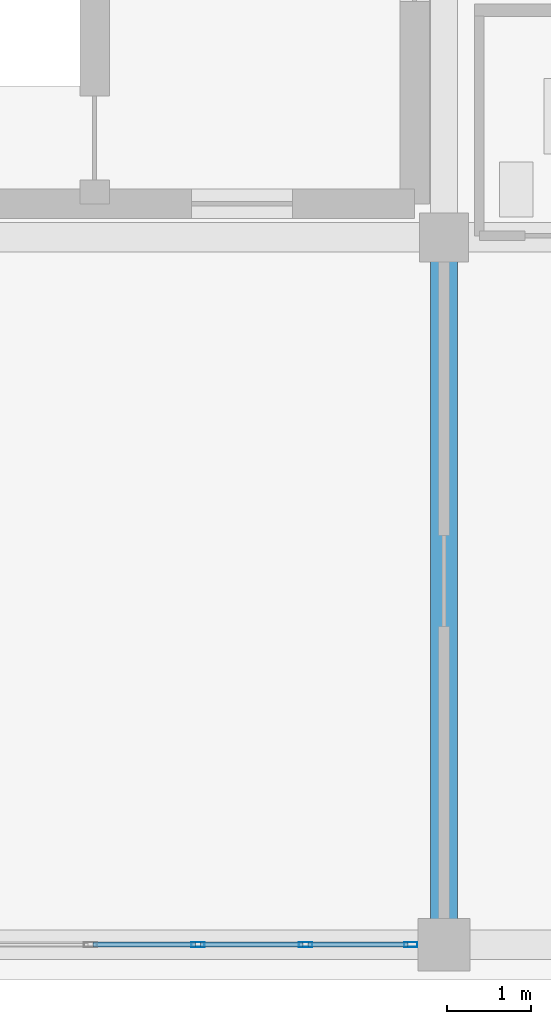
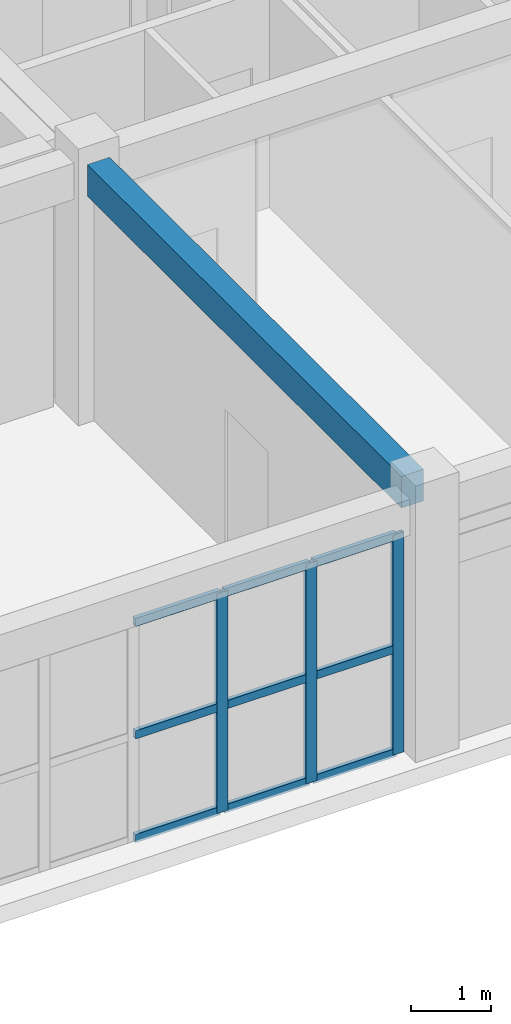
# One storey, part 23 of 81: 12 members, 1 beam, 1 element without a shape of its own.
"""IFC4 building model written with IfcOpenShell, lengths in metres."""

import ifcopenshell
import ifcopenshell.guid

model = None  # the IFC model being written
_history = None  # IfcOwnerHistory: only IFC2X3 demands one
_inside = {}  # id of a spatial element -> (the spatial element, [elements in it])
_under = {}  # id of a project, library or spatial element -> (it, [spatial elements below it])
_declared = {}  # id of a project -> (the project, [libraries it declares])
_typed = {}  # id of a type object -> (the type object, [elements of that type])
_made_of = {}  # id of a material, layer set ... -> (it, [elements and type objects made of it])


def new_model(schema):
    """Start an empty IFC model of exactly this schema.

    Asked for "IFC4X3", IfcOpenShell would pick the latest addendum, in which some entities
    have other attributes; the version numbers below select the first issue.
    IFC2X3 requires an IfcOwnerHistory on every rooted entity: one is made here for all.
    """
    global model, _history
    if schema == "IFC4X3":
        model = ifcopenshell.file(schema_version=(4, 3, 0, 0))
    else:
        model = ifcopenshell.file(schema=schema)
    _inside.clear()
    _under.clear()
    _declared.clear()
    _typed.clear()
    _made_of.clear()
    _history = None
    if model.schema == "IFC2X3":
        org = make("IfcOrganization", Name="unknown")
        user = make(
            "IfcPersonAndOrganization",
            ThePerson=make("IfcPerson", FamilyName="unknown"),
            TheOrganization=org,
        )
        app = make(
            "IfcApplication",
            ApplicationDeveloper=org,
            Version="unknown",
            ApplicationFullName="unknown",
            ApplicationIdentifier="unknown",
        )
        _history = make(
            "IfcOwnerHistory",
            OwningUser=user,
            OwningApplication=app,
            ChangeAction="ADDED",
            CreationDate=0,
        )
    return model


def make(cls, **values):
    """One entity of the class cls with the attributes given. An attribute that is None is left unset."""
    return model.create_entity(
        cls, **{name: value for name, value in values.items() if value is not None}
    )


def rooted(cls, **values):
    """An entity with a GlobalId (a new one), such as an element, a storey or a relation."""
    return make(cls, GlobalId=ifcopenshell.guid.new(), OwnerHistory=_history, **values)


def si_unit(unit_type, name, prefix=None):
    """IfcSIUnit, for example si_unit("LENGTHUNIT", "METRE", prefix="MILLI")."""
    return make("IfcSIUnit", UnitType=unit_type, Prefix=prefix, Name=name)


def assignment(units):
    """IfcUnitAssignment: the units of a project."""
    return None if units is None else make("IfcUnitAssignment", Units=units)


def point(xyz):
    """IfcCartesianPoint."""
    return None if xyz is None else make("IfcCartesianPoint", Coordinates=xyz)


def direction(xyz):
    """IfcDirection."""
    return None if xyz is None else make("IfcDirection", DirectionRatios=xyz)


def frame(location, z_axis=None, x_axis=None):
    """IfcAxis2Placement3D, a coordinate frame: its origin and axes. An axis left out is left unset."""
    return make(
        "IfcAxis2Placement3D",
        Location=point(location),
        Axis=direction(z_axis),
        RefDirection=direction(x_axis),
    )


def frame_2d(location, x_axis=None):
    """IfcAxis2Placement2D, a coordinate frame in the plane: its origin and x axis."""
    return make(
        "IfcAxis2Placement2D", Location=point(location), RefDirection=direction(x_axis)
    )


def origin():
    """The frame at (0, 0, 0) with its axes left unset."""
    return frame((0.0, 0.0, 0.0))


def origin_2d():
    """The frame at (0, 0) in the plane with its x axis left unset."""
    return frame_2d((0.0, 0.0))


def place(relative_to, where):
    """IfcLocalPlacement: puts the frame where relative to a parent placement (None: the world)."""
    return make(
        "IfcLocalPlacement", PlacementRelTo=relative_to, RelativePlacement=where
    )


def context(
    kind, dimensions, precision=None, world=None, true_north=None, identifier=None
):
    """IfcGeometricRepresentationContext, for example the 3D "Model" context."""
    return make(
        "IfcGeometricRepresentationContext",
        ContextIdentifier=identifier,
        ContextType=kind,
        CoordinateSpaceDimension=dimensions,
        Precision=precision,
        WorldCoordinateSystem=world,
        TrueNorth=true_north,
    )


def subcontext(parent, identifier, kind, view, scale=None):
    """IfcGeometricRepresentationSubContext, for example "Body" below "Model"."""
    return make(
        "IfcGeometricRepresentationSubContext",
        ContextIdentifier=identifier,
        ContextType=kind,
        ParentContext=parent,
        TargetScale=scale,
        TargetView=view,
    )


def project(units=None, contexts=None):
    """IfcProject with its units and contexts."""
    return rooted(
        "IfcProject",
        Name="project",
        RepresentationContexts=contexts,
        UnitsInContext=assignment(units),
    )


def spatial(cls, under=None, at=None, **own):
    """A site, building, storey or space (cls), placed at a placement, below another one or the project."""
    s = rooted(cls, ObjectPlacement=at, **own)
    if under is not None:
        _under.setdefault(under.id(), (under, []))[1].append(s)
    return s


def profile(cls, at=None, kind="AREA", **sizes):
    """A parametric profile (cls). Its sizes go by their IFC names, for example OverallWidth=200.0."""
    return make(cls, ProfileType=kind, Position=at, **sizes)


def rectangle(**sizes):
    """IfcRectangleProfileDef."""
    return profile("IfcRectangleProfileDef", **sizes)


def hollow_rectangle(**sizes):
    """IfcRectangleHollowProfileDef."""
    return profile("IfcRectangleHollowProfileDef", **sizes)


def extrude(swept, where, along, depth):
    """IfcExtrudedAreaSolid: the profile swept, set in the frame where, extruded along a direction by depth."""
    return make(
        "IfcExtrudedAreaSolid",
        SweptArea=swept,
        Position=where,
        ExtrudedDirection=direction(along),
        Depth=depth,
    )


def shape(context_of_items, identifier, shape_type, items):
    """IfcShapeRepresentation: the items that make up one representation, for example the "Body"."""
    return make(
        "IfcShapeRepresentation",
        ContextOfItems=context_of_items,
        RepresentationIdentifier=identifier,
        RepresentationType=shape_type,
        Items=items,
    )


def material(Name=None, Category=None):
    """IfcMaterial."""
    return make("IfcMaterial", Name=Name, Category=Category)


def layer(
    of_material, thickness, ventilated=None, Name=None, Category=None, Priority=None
):
    """IfcMaterialLayer: one layer of a wall or slab, of a material (None: an air gap)."""
    return make(
        "IfcMaterialLayer",
        Material=of_material,
        LayerThickness=thickness,
        IsVentilated=ventilated,
        Name=Name,
        Category=Category,
        Priority=Priority,
    )


def layer_set(layers, Name=None):
    """IfcMaterialLayerSet."""
    return make("IfcMaterialLayerSet", MaterialLayers=layers, LayerSetName=Name)


def material_profile(
    of_material, cross_section, Name=None, Category=None, Priority=None
):
    """IfcMaterialProfile: a cross section and its material."""
    return make(
        "IfcMaterialProfile",
        Name=Name,
        Material=of_material,
        Profile=cross_section,
        Priority=Priority,
        Category=Category,
    )


def profile_set(profiles, Name=None, composite=None):
    """IfcMaterialProfileSet."""
    return make(
        "IfcMaterialProfileSet",
        Name=Name,
        MaterialProfiles=profiles,
        CompositeProfile=composite,
    )


def made_of(thing, what):
    """Note that an element or type object is made of a material, layer set ...; save() writes the relation."""
    if what is not None:
        _made_of.setdefault(what.id(), (what, []))[1].append(thing)
    return thing


def type_object(cls, material=None, **own):
    """A type object (cls), such as IfcWallType, which elements share."""
    return made_of(rooted(cls, **own), material)


def element(
    cls,
    number,
    at=None,
    inside=None,
    cuts=None,
    type_object=None,
    material=None,
    context=None,
    identifier="Body",
    shape_type=None,
    held_by="IfcProductDefinitionShape",
    body=None,
    shapes=None,
    **own,
):
    """One element of the class cls, such as IfcWall. Its Tag is "e" and its number.

    at: its placement. inside: the storey or other place that contains it. cuts: it is an
    opening in that element (IfcRelVoidsElement). A single representation is given by context,
    identifier, shape_type and body (its items); several are given by shapes. held_by: the class
    of the entity that holds the representations. save() writes the other relations.
    """
    e = rooted(cls, Tag="e%d" % number, ObjectPlacement=at, **own)
    if body is not None:
        shapes = [shape(context, identifier, shape_type, body)]
    if shapes is not None:
        e.Representation = make(held_by, Representations=shapes)
    if inside is not None:
        _inside.setdefault(inside.id(), (inside, []))[1].append(e)
    if cuts is not None:
        rooted(
            "IfcRelVoidsElement", RelatingBuildingElement=cuts, RelatedOpeningElement=e
        )
    if type_object is not None:
        _typed.setdefault(type_object.id(), (type_object, []))[1].append(e)
    return made_of(e, material)


def aggregate(whole, parts):
    """IfcRelAggregates: a whole, such as a stair, and the parts it consists of."""
    return rooted("IfcRelAggregates", RelatingObject=whole, RelatedObjects=parts)


def save(model, path):
    """Write the relations noted so far, then the file.

    IfcRelAggregates (storeys below a building ...), IfcRelContainedInSpatialStructure (elements
    in a storey), IfcRelDefinesByType, IfcRelAssociatesMaterial and IfcRelDeclares: one each for
    every whole, place, type object, material and project.
    """
    for whole, parts in _under.values():
        aggregate(whole, parts)
    for where, things in _inside.values():
        rooted(
            "IfcRelContainedInSpatialStructure",
            RelatedElements=things,
            RelatingStructure=where,
        )
    for kind, things in _typed.values():
        rooted("IfcRelDefinesByType", RelatedObjects=things, RelatingType=kind)
    for what, things in _made_of.values():
        rooted("IfcRelAssociatesMaterial", RelatedObjects=things, RelatingMaterial=what)
    for by, libraries in _declared.values():
        rooted("IfcRelDeclares", RelatingContext=by, RelatedDefinitions=libraries)
    model.write(path)


model = new_model("IFC4")

# Units and contexts
model_context = context("Model", 3, precision=1e-05, world=origin(), true_north=direction((0.0, 1.0)))
body_context = subcontext(model_context, "Body", "Model", "MODEL_VIEW")
ifc_project = project(units=[si_unit("LENGTHUNIT", "METRE"), si_unit("AREAUNIT", "SQUARE_METRE"), si_unit("VOLUMEUNIT", "CUBIC_METRE"), si_unit("PLANEANGLEUNIT", "RADIAN"), si_unit("MASSUNIT", "GRAM", prefix="KILO")], contexts=[model_context])

# Site, building, storey
site_placement = place(None, origin())
site = spatial("IfcSite", under=ifc_project, at=site_placement, CompositionType="ELEMENT")
building_placement = place(site_placement, origin())
building = spatial("IfcBuilding", under=site, at=building_placement, Name="Trelvath General Hospital", CompositionType="ELEMENT")
storey_placement = place(building_placement, frame((0.0, 0.0, 24.60009765625)))
storey = spatial("IfcBuildingStorey", under=building, at=storey_placement, Name="L06", CompositionType="ELEMENT", Elevation=24.60009765625)

# Beam
ifc_material_1 = material(Name="Concrete C35/45", Category="concrete")
ifc_material_profile_1 = material_profile(ifc_material_1, rectangle(XDim=0.320068359375, YDim=0.47998046875, at=origin_2d()), Name="RCB320x480")
ifc_profile_set_1 = profile_set([ifc_material_profile_1], Name="Concrete C35/45")
beam_type = type_object("IfcBeamType", Name="Beam RC320x480", PredefinedType="BEAM", material=ifc_profile_set_1)
beam_placement = place(storey_placement, frame((100.800048828125, 0.304931640625, 3.679931640625), z_axis=(0.0, 1.0, 0.0), x_axis=(-1.0, 0.0, 0.0)))
element("IfcBeam", 1, at=beam_placement, inside=storey, type_object=beam_type, Name="Grid Beam BY-612A", PredefinedType="BEAM", context=body_context, shape_type="SweptSolid", body=[
    extrude(rectangle(XDim=0.320068359375, YDim=0.47998046875, at=origin_2d()), origin(), (0.0, 0.0, 1.0), 7.81005859375),
])

# Curtain wall, members
ifc_material_2 = material(Name="Anodised aluminium and low-E glass", Category="aluminium")
ifc_layer = layer(ifc_material_2, 0.14990234375)
ifc_layer_set = layer_set([ifc_layer], Name="Anodised aluminium and low-E glass")
curtain_wall_type = type_object("IfcCurtainWallType", Name="CW Facade 767 334 15", PredefinedType="USERDEFINED", material=ifc_layer_set)
curtain_wall_placement = place(storey_placement, origin())
curtain_wall = element("IfcCurtainWall", 2, at=curtain_wall_placement, inside=storey, type_object=curtain_wall_type, Name="Facade Curtain Wall CW-082", ObjectType="Unitised Glazed Curtain Wall", PredefinedType="USERDEFINED")
ifc_material_3 = material(Name="Anodised aluminium", Category="aluminium")
ifc_material_profile_2 = material_profile(ifc_material_3, hollow_rectangle(XDim=0.06005859375, YDim=0.159912109375, WallThickness=0.00390625, at=origin_2d()), Name="RHS60x160x4")
ifc_profile_set_2 = profile_set([ifc_material_profile_2], Name="Anodised aluminium")
member_type_1 = type_object("IfcMemberType", Name="CurtainMullion 60x160", PredefinedType="MULLION", material=ifc_profile_set_2)
member_1_placement = place(storey_placement, frame((100.405029296875, 0.0, 0.0), z_axis=(0.0, 0.0, 1.0), x_axis=(0.0, -1.0, 0.0)))
member_1 = element("IfcMember", 3, at=member_1_placement, type_object=member_type_1, Name="CW-082 mullion 1", PredefinedType="MULLION", context=body_context, shape_type="SweptSolid", body=[
    extrude(hollow_rectangle(XDim=0.06005859375, YDim=0.159912109375, WallThickness=0.00390625, at=origin_2d()), origin(), (0.0, 0.0, 1.0), 3.33984375),
])
member_2_placement = place(storey_placement, frame((99.15673828125, 0.0, 0.0), z_axis=(0.0, 0.0, 1.0), x_axis=(0.0, -1.0, 0.0)))
member_2 = element("IfcMember", 4, at=member_2_placement, type_object=member_type_1, Name="CW-082 mullion 2", PredefinedType="MULLION", context=body_context, shape_type="SweptSolid", body=[
    extrude(hollow_rectangle(XDim=0.06005859375, YDim=0.159912109375, WallThickness=0.00390625, at=origin_2d()), origin(), (0.0, 0.0, 1.0), 3.33984375),
])
member_3_placement = place(storey_placement, frame((97.87841796875, 0.0, 0.0), z_axis=(0.0, 0.0, 1.0), x_axis=(0.0, -1.0, 0.0)))
member_3 = element("IfcMember", 5, at=member_3_placement, type_object=member_type_1, Name="CW-082 mullion 3", PredefinedType="MULLION", context=body_context, shape_type="SweptSolid", body=[
    extrude(hollow_rectangle(XDim=0.06005859375, YDim=0.159912109375, WallThickness=0.00390625, at=origin_2d()), origin(), (0.0, 0.0, 1.0), 3.33984375),
])
ifc_material_4 = material(Name="Anodised aluminium", Category="aluminium")
ifc_material_profile_3 = material_profile(ifc_material_4, hollow_rectangle(XDim=0.06005859375, YDim=0.125, WallThickness=0.00390625, at=origin_2d()), Name="RHS60x125x4")
ifc_profile_set_3 = profile_set([ifc_material_profile_3], Name="Anodised aluminium")
member_type_2 = type_object("IfcMemberType", Name="CurtainTransom 60x125", PredefinedType="USERDEFINED", material=ifc_profile_set_3)
member_4_placement = place(storey_placement, frame((100.375, 0.0, 0.02978515625), z_axis=(-1.0, 0.0, 0.0), x_axis=(0.0, -1.0, 0.0)))
member_4 = element("IfcMember", 6, at=member_4_placement, type_object=member_type_2, Name="CW-082 transom 1.1", ObjectType="TRANSOM", PredefinedType="USERDEFINED", context=body_context, shape_type="SweptSolid", body=[
    extrude(hollow_rectangle(XDim=0.06005859375, YDim=0.125, WallThickness=0.00390625, at=origin_2d()), origin(), (0.0, 0.0, 1.0), 1.188232421875),
])
member_5_placement = place(storey_placement, frame((100.375, 0.0, 1.602783203125), z_axis=(-1.0, 0.0, 0.0), x_axis=(0.0, -1.0, 0.0)))
member_5 = element("IfcMember", 7, at=member_5_placement, type_object=member_type_2, Name="CW-082 transom 1.2", ObjectType="TRANSOM", PredefinedType="USERDEFINED", context=body_context, shape_type="SweptSolid", body=[
    extrude(hollow_rectangle(XDim=0.06005859375, YDim=0.125, WallThickness=0.00390625, at=origin_2d()), origin(), (0.0, 0.0, 1.0), 1.188232421875),
])
member_6_placement = place(storey_placement, frame((100.375, 0.0, 3.309814453125), z_axis=(-1.0, 0.0, 0.0), x_axis=(0.0, -1.0, 0.0)))
member_6 = element("IfcMember", 8, at=member_6_placement, type_object=member_type_2, Name="CW-082 transom 1.3", ObjectType="TRANSOM", PredefinedType="USERDEFINED", context=body_context, shape_type="SweptSolid", body=[
    extrude(hollow_rectangle(XDim=0.06005859375, YDim=0.125, WallThickness=0.00390625, at=origin_2d()), origin(), (0.0, 0.0, 1.0), 1.188232421875),
])
member_7_placement = place(storey_placement, frame((99.126708984375, 0.0, 0.02978515625), z_axis=(-1.0, 0.0, 0.0), x_axis=(0.0, -1.0, 0.0)))
member_7 = element("IfcMember", 9, at=member_7_placement, type_object=member_type_2, Name="CW-082 transom 2.1", ObjectType="TRANSOM", PredefinedType="USERDEFINED", context=body_context, shape_type="SweptSolid", body=[
    extrude(hollow_rectangle(XDim=0.06005859375, YDim=0.125, WallThickness=0.00390625, at=origin_2d()), origin(), (0.0, 0.0, 1.0), 1.21826171875),
])
member_8_placement = place(storey_placement, frame((99.126708984375, 0.0, 1.602783203125), z_axis=(-1.0, 0.0, 0.0), x_axis=(0.0, -1.0, 0.0)))
member_8 = element("IfcMember", 10, at=member_8_placement, type_object=member_type_2, Name="CW-082 transom 2.2", ObjectType="TRANSOM", PredefinedType="USERDEFINED", context=body_context, shape_type="SweptSolid", body=[
    extrude(hollow_rectangle(XDim=0.06005859375, YDim=0.125, WallThickness=0.00390625, at=origin_2d()), origin(), (0.0, 0.0, 1.0), 1.21826171875),
])
member_9_placement = place(storey_placement, frame((99.126708984375, 0.0, 3.309814453125), z_axis=(-1.0, 0.0, 0.0), x_axis=(0.0, -1.0, 0.0)))
member_9 = element("IfcMember", 11, at=member_9_placement, type_object=member_type_2, Name="CW-082 transom 2.3", ObjectType="TRANSOM", PredefinedType="USERDEFINED", context=body_context, shape_type="SweptSolid", body=[
    extrude(hollow_rectangle(XDim=0.06005859375, YDim=0.125, WallThickness=0.00390625, at=origin_2d()), origin(), (0.0, 0.0, 1.0), 1.21826171875),
])
member_10_placement = place(storey_placement, frame((97.848388671875, 0.0, 0.02978515625), z_axis=(-1.0, 0.0, 0.0), x_axis=(0.0, -1.0, 0.0)))
member_10 = element("IfcMember", 12, at=member_10_placement, type_object=member_type_2, Name="CW-082 transom 3.1", ObjectType="TRANSOM", PredefinedType="USERDEFINED", context=body_context, shape_type="SweptSolid", body=[
    extrude(hollow_rectangle(XDim=0.06005859375, YDim=0.125, WallThickness=0.00390625, at=origin_2d()), origin(), (0.0, 0.0, 1.0), 1.218505859375),
])
member_11_placement = place(storey_placement, frame((97.848388671875, 0.0, 1.602783203125), z_axis=(-1.0, 0.0, 0.0), x_axis=(0.0, -1.0, 0.0)))
member_11 = element("IfcMember", 13, at=member_11_placement, type_object=member_type_2, Name="CW-082 transom 3.2", ObjectType="TRANSOM", PredefinedType="USERDEFINED", context=body_context, shape_type="SweptSolid", body=[
    extrude(hollow_rectangle(XDim=0.06005859375, YDim=0.125, WallThickness=0.00390625, at=origin_2d()), origin(), (0.0, 0.0, 1.0), 1.218505859375),
])
member_12_placement = place(storey_placement, frame((97.848388671875, 0.0, 3.309814453125), z_axis=(-1.0, 0.0, 0.0), x_axis=(0.0, -1.0, 0.0)))
member_12 = element("IfcMember", 14, at=member_12_placement, type_object=member_type_2, Name="CW-082 transom 3.3", ObjectType="TRANSOM", PredefinedType="USERDEFINED", context=body_context, shape_type="SweptSolid", body=[
    extrude(hollow_rectangle(XDim=0.06005859375, YDim=0.125, WallThickness=0.00390625, at=origin_2d()), origin(), (0.0, 0.0, 1.0), 1.218505859375),
])
aggregate(curtain_wall, [member_1, member_2, member_3, member_4, member_5, member_6, member_7, member_8, member_9, member_10, member_11, member_12])

save(model, "model.ifc")
